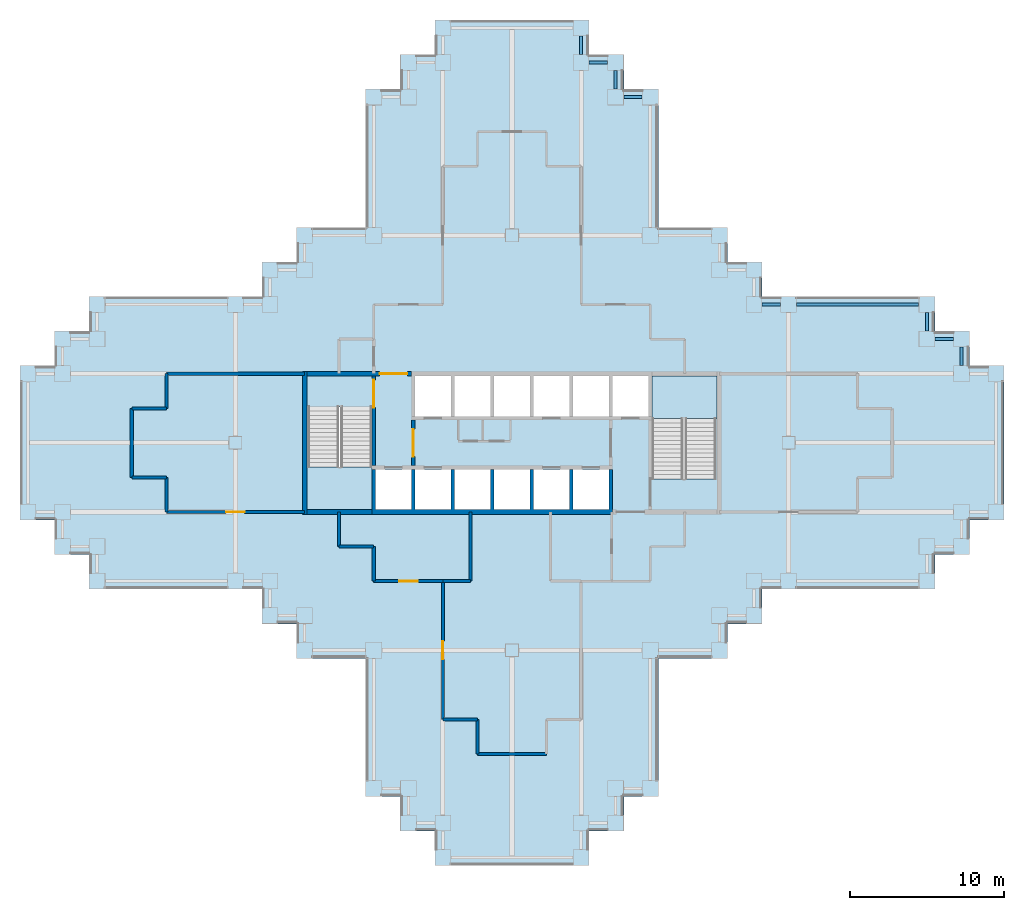
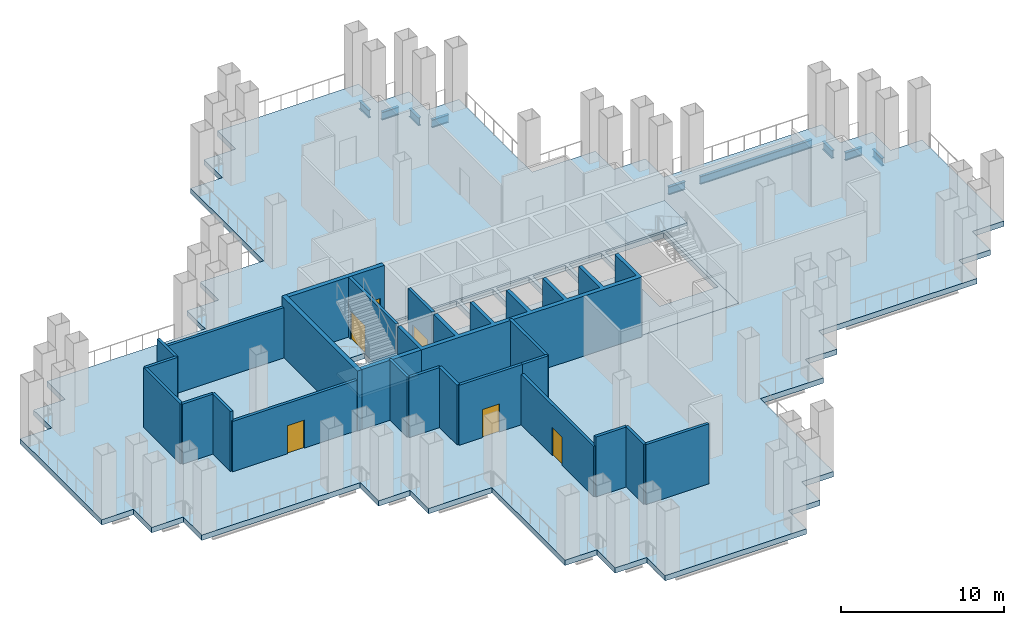
# One storey, part 2 of 10: 23 walls, 9 beams, 6 doors, 4 slabs, 6 openings, 2 elements without a shape of their own.
"""IFC4 building model written with IfcOpenShell, lengths in metres."""

from ifc_helpers import new_model, si_unit, direction, frame, frame_2d, origin, origin_2d, place, context, subcontext, project, spatial, polyline, rectangle, i_section, outline, extrude, material, layer, layer_set, material_profile, profile_set, type_object, element, fill, aggregate, save


model = new_model("IFC4")

# Units and contexts
model_context = context("Model", 3, precision=1e-05, world=origin(), true_north=direction((0.0, 1.0)))
body_context = subcontext(model_context, "Body", "Model", "MODEL_VIEW")
ifc_project = project(units=[si_unit("LENGTHUNIT", "METRE"), si_unit("AREAUNIT", "SQUARE_METRE"), si_unit("VOLUMEUNIT", "CUBIC_METRE"), si_unit("PLANEANGLEUNIT", "RADIAN"), si_unit("MASSUNIT", "GRAM", prefix="KILO")], contexts=[model_context])

# Site, building, storey
site_placement = place(None, origin())
site = spatial("IfcSite", under=ifc_project, at=site_placement, CompositionType="ELEMENT")
building_placement = place(site_placement, origin())
building = spatial("IfcBuilding", under=site, at=building_placement, Name="Caravel Reach Hotel and Residences", CompositionType="ELEMENT")
storey_placement = place(building_placement, frame((0.0, 0.0, 48.0)))
storey = spatial("IfcBuildingStorey", under=building, at=storey_placement, Name="L10", CompositionType="ELEMENT", Elevation=48.0)

# Beams
ifc_material_1 = material(Name="Structural steel Q355B", Category="steel")
ifc_material_profile = material_profile(ifc_material_1, i_section(OverallWidth=0.199951171875, OverallDepth=0.60009765625, WebThickness=0.010986328125, FlangeThickness=0.01708984375, FilletRadius=0.012939453125, at=origin_2d()), Name="HN 600x200x11x17")
ifc_profile_set = profile_set([ifc_material_profile], Name="Structural steel Q355B")
beam_type = type_object("IfcBeamType", Name="Spandrel beam HN 600x200x11x17", PredefinedType="SPANDREL", material=ifc_profile_set)
for number, where, z_axis, x_axis, name in (
    (1, (60.75, 32.02490234375, -0.699951171875), (0.0, 1.0, 0.0), (-1.0, 0.0, 0.0), "SP1 HN 600x200x11x17"),
    (2, (60.22509765625, 33.75, -0.699951171875), (-1.0, 0.0, 0.0), (0.0, -1.0, 0.0), "SP1 HN 600x200x11x17"),
    (3, (58.5, 34.27490234375, -0.699951171875), (0.0, 1.0, 0.0), (-1.0, 0.0, 0.0), "SP1 HN 600x200x11x17"),
):
    element("IfcBeam", number, at=place(storey_placement, frame(where, z_axis=z_axis, x_axis=x_axis)), inside=storey, type_object=beam_type, Name=name, PredefinedType="SPANDREL", context=body_context, shape_type="SweptSolid", body=[
        extrude(i_section(OverallWidth=0.199951171875, OverallDepth=0.60009765625, WebThickness=0.010986328125, FlangeThickness=0.01708984375, FilletRadius=0.012939453125, at=origin_2d()), origin(), (0.0, 0.0, 1.0), 1.2001953125),
    ])
beam_placement = place(storey_placement, frame((57.97509765625, 36.0, -0.699951171875), z_axis=(-1.0, 0.0, 0.0), x_axis=(0.0, -1.0, 0.0)))
element("IfcBeam", 4, at=beam_placement, inside=storey, type_object=beam_type, Name="SP1 HN 600x200x11x17", PredefinedType="SPANDREL", context=body_context, shape_type="SweptSolid", body=[
    extrude(i_section(OverallWidth=0.199951171875, OverallDepth=0.60009765625, WebThickness=0.010986328125, FlangeThickness=0.01708984375, FilletRadius=0.012939453125, at=origin_2d()), origin(), (0.0, 0.0, 1.0), 7.9501953125),
])
for number, where, z_axis, x_axis, name in (
    (5, (48.97509765625, 36.0, -0.699951171875), (-1.0, 0.0, 0.0), (0.0, -1.0, 0.0), "SP1 HN 600x200x11x17"),
    (6, (39.97509765625, 49.5, -0.699951171875), (-1.0, 0.0, 0.0), (0.0, -1.0, 0.0), "SP1 HN 600x200x11x17"),
    (7, (38.25, 50.02490234375, -0.699951171875), (0.0, 1.0, 0.0), (-1.0, 0.0, 0.0), "SP1 HN 600x200x11x17"),
    (8, (37.72509765625, 51.75, -0.699951171875), (-1.0, 0.0, 0.0), (0.0, -1.0, 0.0), "SP1 HN 600x200x11x17"),
    (9, (36.0, 52.27490234375, -0.699951171875), (0.0, 1.0, 0.0), (-1.0, 0.0, 0.0), "SP1 HN 600x200x11x17"),
):
    element("IfcBeam", number, at=place(storey_placement, frame(where, z_axis=z_axis, x_axis=x_axis)), inside=storey, type_object=beam_type, Name=name, PredefinedType="SPANDREL", context=body_context, shape_type="SweptSolid", body=[
        extrude(i_section(OverallWidth=0.199951171875, OverallDepth=0.60009765625, WebThickness=0.010986328125, FlangeThickness=0.01708984375, FilletRadius=0.012939453125, at=origin_2d()), origin(), (0.0, 0.0, 1.0), 1.2001953125),
    ])

# Slab
ifc_material_2 = material(Name="Concrete C40", Category="concrete")
ifc_layer_1 = layer(ifc_material_2, 0.39990234375)
ifc_layer_set_1 = layer_set([ifc_layer_1], Name="Core floor slab 400 mm")
slab_type_1 = type_object("IfcSlabType", Name="Core floor slab 400 mm", PredefinedType="FLOOR", material=ifc_layer_set_1)
slab_1_placement = place(storey_placement, frame((0.0, 0.0, -0.39990234375)))
element("IfcSlab", 10, at=slab_1_placement, inside=storey, type_object=slab_type_1, Name="L10 core floor", PredefinedType="FLOOR", context=body_context, shape_type="SweptSolid", body=[
    extrude(outline(polyline([(18.0, 31.5), (45.0, 31.5), (45.0, 22.5), (18.0, 22.5), (18.0, 31.5)]), holes=[polyline([(22.625, 25.27490234375), (22.625, 22.64990234375), (24.9462890625, 22.64990234375), (24.9462890625, 25.27490234375), (22.625, 25.27490234375)]), polyline([(27.517822265625, 25.27490234375), (25.1962890625, 25.27490234375), (25.1962890625, 22.64990234375), (27.517822265625, 22.64990234375), (27.517822265625, 25.27490234375)]), polyline([(30.08935546875, 25.27490234375), (27.767822265625, 25.27490234375), (27.767822265625, 22.64990234375), (30.08935546875, 22.64990234375), (30.08935546875, 25.27490234375)]), polyline([(32.66064453125, 25.27490234375), (30.33935546875, 25.27490234375), (30.33935546875, 22.64990234375), (32.66064453125, 22.64990234375), (32.66064453125, 25.27490234375)]), polyline([(18.22509765625, 22.64990234375), (22.375, 22.64990234375), (22.375, 29.35009765625), (18.22509765625, 29.35009765625), (18.22509765625, 22.64990234375)]), polyline([(27.517822265625, 31.35009765625), (25.1962890625, 31.35009765625), (25.1962890625, 28.72509765625), (27.517822265625, 28.72509765625), (27.517822265625, 31.35009765625)]), polyline([(30.08935546875, 31.35009765625), (27.767822265625, 31.35009765625), (27.767822265625, 28.72509765625), (30.08935546875, 28.72509765625), (30.08935546875, 31.35009765625)]), polyline([(32.91064453125, 25.27490234375), (32.91064453125, 22.64990234375), (35.232177734375, 22.64990234375), (35.232177734375, 25.27490234375), (32.91064453125, 25.27490234375)]), polyline([(37.8037109375, 25.27490234375), (35.482177734375, 25.27490234375), (35.482177734375, 22.64990234375), (37.8037109375, 22.64990234375), (37.8037109375, 25.27490234375)]), polyline([(44.77490234375, 31.35009765625), (40.625, 31.35009765625), (40.625, 24.64990234375), (44.77490234375, 24.64990234375), (44.77490234375, 31.35009765625)]), polyline([(32.66064453125, 31.35009765625), (30.33935546875, 31.35009765625), (30.33935546875, 28.72509765625), (32.66064453125, 28.72509765625), (32.66064453125, 31.35009765625)]), polyline([(35.232177734375, 31.35009765625), (32.91064453125, 31.35009765625), (32.91064453125, 28.72509765625), (35.232177734375, 28.72509765625), (35.232177734375, 31.35009765625)]), polyline([(37.8037109375, 31.35009765625), (35.482177734375, 31.35009765625), (35.482177734375, 28.72509765625), (37.8037109375, 28.72509765625), (37.8037109375, 31.35009765625)]), polyline([(40.375, 31.35009765625), (38.0537109375, 31.35009765625), (38.0537109375, 28.72509765625), (40.375, 28.72509765625), (40.375, 31.35009765625)])]), origin(), (0.0, 0.0, 1.0), 0.39990234375),
])

# Stair, slab
ifc_material_3 = material(Name="Concrete C40", Category="concrete")
stair_type = type_object("IfcStairType", Name="Core stair", PredefinedType="HALF_TURN_STAIR", material=ifc_material_3)
stair_1_placement = place(storey_placement, origin())
stair_1 = element("IfcStair", 11, at=stair_1_placement, inside=storey, type_object=stair_type, Name="L10 Exit stair A", PredefinedType="HALF_TURN_STAIR")
ifc_material_4 = material(Name="Concrete C40", Category="concrete")
ifc_layer_2 = layer(ifc_material_4, 0.199951171875)
ifc_layer_set_2 = layer_set([ifc_layer_2], Name="Core stair landing")
slab_type_2 = type_object("IfcSlabType", Name="Core stair landing", PredefinedType="LANDING", material=ifc_layer_set_2)
slab_2_placement = place(storey_placement, frame((0.0, 0.0, 2.199951171875)))
slab_2 = element("IfcSlab", 12, at=slab_2_placement, type_object=slab_type_2, Name="ST-A landing 1", PredefinedType="LANDING", context=body_context, shape_type="SweptSolid", body=[
    extrude(outline(polyline([(18.14990234375, 25.429931640625), (18.14990234375, 22.64990234375), (22.375, 22.64990234375), (22.375, 25.429931640625), (18.14990234375, 25.429931640625)])), origin(), (0.0, 0.0, 1.0), 0.199951171875),
])
aggregate(stair_1, [slab_2])

stair_2_placement = place(storey_placement, origin())
stair_2 = element("IfcStair", 13, at=stair_2_placement, inside=storey, type_object=stair_type, Name="L10 Exit stair B", PredefinedType="HALF_TURN_STAIR")
slab_3_placement = place(storey_placement, frame((0.0, 0.0, 2.199951171875)))
slab_3 = element("IfcSlab", 14, at=slab_3_placement, type_object=slab_type_2, Name="ST-B landing 1", PredefinedType="LANDING", context=body_context, shape_type="SweptSolid", body=[
    extrude(outline(polyline([(44.85009765625, 28.570068359375), (44.85009765625, 31.35009765625), (40.625, 31.35009765625), (40.625, 28.570068359375), (44.85009765625, 28.570068359375)])), origin(), (0.0, 0.0, 1.0), 0.199951171875),
])
aggregate(stair_2, [slab_3])

# Slab
ifc_material_5 = material(Name="Concrete C40 post-tensioned", Category="concrete")
ifc_layer_3 = layer(ifc_material_5, 0.39990234375)
ifc_layer_set_3 = layer_set([ifc_layer_3], Name="Floor slab 400")
slab_type_3 = type_object("IfcSlabType", Name="Floor slab 400", PredefinedType="FLOOR", material=ifc_layer_set_3)
slab_4_placement = place(storey_placement, frame((0.0, 0.0, -0.39990234375)))
element("IfcSlab", 15, at=slab_4_placement, inside=storey, type_object=slab_type_3, Name="S4 slab L10", PredefinedType="FLOOR", context=body_context, shape_type="SweptSolid", body=[
    extrude(outline(polyline([(17.47509765625, 12.97509765625), (17.47509765625, 15.22509765625), (15.22509765625, 15.22509765625), (15.22509765625, 17.47509765625), (3.97509765625, 17.47509765625), (3.97509765625, 19.72509765625), (1.72509765625, 19.72509765625), (1.72509765625, 21.97509765625), (-0.52490234375, 21.97509765625), (-0.52490234375, 32.02490234375), (1.72509765625, 32.02490234375), (1.72509765625, 34.27490234375), (3.97509765625, 34.27490234375), (3.97509765625, 36.52490234375), (15.22509765625, 36.52490234375), (15.22509765625, 38.77490234375), (17.47509765625, 38.77490234375), (17.47509765625, 41.02490234375), (21.97509765625, 41.02490234375), (21.97509765625, 50.02490234375), (24.22509765625, 50.02490234375), (24.22509765625, 52.27490234375), (26.47509765625, 52.27490234375), (26.47509765625, 54.52490234375), (36.52490234375, 54.52490234375), (36.52490234375, 52.27490234375), (38.77490234375, 52.27490234375), (38.77490234375, 50.02490234375), (41.02490234375, 50.02490234375), (41.02490234375, 41.02490234375), (45.52490234375, 41.02490234375), (45.52490234375, 38.77490234375), (47.77490234375, 38.77490234375), (47.77490234375, 36.52490234375), (59.02490234375, 36.52490234375), (59.02490234375, 34.27490234375), (61.27490234375, 34.27490234375), (61.27490234375, 32.02490234375), (63.52490234375, 32.02490234375), (63.52490234375, 21.97509765625), (61.27490234375, 21.97509765625), (61.27490234375, 19.72509765625), (59.02490234375, 19.72509765625), (59.02490234375, 17.47509765625), (47.77490234375, 17.47509765625), (47.77490234375, 15.22509765625), (45.52490234375, 15.22509765625), (45.52490234375, 12.97509765625), (41.02490234375, 12.97509765625), (41.02490234375, 3.97509765625), (38.77490234375, 3.97509765625), (38.77490234375, 1.72509765625), (36.52490234375, 1.72509765625), (36.52490234375, -0.52490234375), (26.47509765625, -0.52490234375), (26.47509765625, 1.72509765625), (24.22509765625, 1.72509765625), (24.22509765625, 3.97509765625), (21.97509765625, 3.97509765625), (21.97509765625, 12.97509765625), (17.47509765625, 12.97509765625)]), holes=[polyline([(45.0, 31.5), (18.0, 31.5), (18.0, 22.5), (45.0, 22.5), (45.0, 31.5)])]), origin(), (0.0, 0.0, 1.0), 0.39990234375),
])

# Wall, opening, door
ifc_material_6 = material(Name="Autoclaved aerated block wall")
ifc_layer_4 = layer(ifc_material_6, 0.199951171875)
ifc_layer_set_4 = layer_set([ifc_layer_4], Name="Compartment wall 200 mm EI 120")
wall_type_1 = type_object("IfcWallType", Name="Compartment wall 200 mm EI 120", PredefinedType="PARTITIONING", material=ifc_layer_set_4)
wall_1_placement = place(storey_placement, frame((22.5, 18.0, 0.0), z_axis=(0.0, 0.0, 1.0), x_axis=(1.0, 0.0, 0.0)))
wall_1 = element("IfcWall", 16, at=wall_1_placement, inside=storey, type_object=wall_type_1, Name="L10 wall w020", PredefinedType="PARTITIONING", context=body_context, shape_type="SweptSolid", body=[
    extrude(rectangle(XDim=4.5, YDim=0.199951171875, at=frame_2d((2.25, 0.0))), origin(), (0.0, 0.0, 1.0), 4.5),
])
opening_1_placement = place(wall_1_placement, frame((1.64990234375, 0.0, 0.0)))
opening_1 = element("IfcOpeningElement", 17, at=opening_1_placement, cuts=wall_1, Name="Opening D10-016", PredefinedType="OPENING", context=body_context, shape_type="SweptSolid", body=[
    extrude(rectangle(XDim=1.199951171875, YDim=2.10009765625, at=frame_2d((0.60009765625, 1.050048828125))), frame((0.0, 0.10986328125, 0.0), z_axis=(0.0, -1.0, 0.0), x_axis=(1.0, 0.0, 0.0)), (0.0, 0.0, 1.0), 0.219970703125),
])
ifc_material_7 = material(Name="Steel fire door leaf", Category="steel")
door_type_1 = type_object("IfcDoorType", Name="Plant room door 1200 x 2100 EI 60", OperationType="SINGLE_SWING_LEFT", PredefinedType="DOOR", material=ifc_material_7)
door_1_placement = place(opening_1_placement, origin())
door_1 = element("IfcDoor", 18, at=door_1_placement, inside=storey, type_object=door_type_1, Name="door D10-016", OperationType="SINGLE_SWING_RIGHT", OverallHeight=2.10009765625, OverallWidth=1.199951171875, PredefinedType="DOOR", context=body_context, shape_type="SweptSolid", body=[
    extrude(rectangle(XDim=1.199951171875, YDim=2.10009765625, at=frame_2d((0.60009765625, 1.050048828125))), frame((0.0, 0.02490234375, 0.0), z_axis=(0.0, -1.0, 0.0), x_axis=(1.0, 0.0, 0.0)), (0.0, 0.0, 1.0), 0.050048828125),
])
fill(opening_1, door_1)

# Walls
wall_2_placement = place(storey_placement, frame((27.0, 18.0, 0.0), z_axis=(0.0, 0.0, 1.0), x_axis=(1.0, 0.0, 0.0)))
element("IfcWall", 19, at=wall_2_placement, inside=storey, type_object=wall_type_1, Name="L10 wall w021", PredefinedType="PARTITIONING", context=body_context, shape_type="SweptSolid", body=[
    extrude(rectangle(XDim=1.800048828125, YDim=0.199951171875, at=frame_2d((0.89990234375, 0.0))), origin(), (0.0, 0.0, 1.0), 4.5),
])
wall_3_placement = place(storey_placement, frame((20.25, 20.25, 0.0), z_axis=(0.0, 0.0, 1.0), x_axis=(1.0, 0.0, 0.0)))
element("IfcWall", 20, at=wall_3_placement, inside=storey, type_object=wall_type_1, Name="L10 wall w023", PredefinedType="PARTITIONING", context=body_context, shape_type="SweptSolid", body=[
    extrude(rectangle(XDim=2.25, YDim=0.199951171875, at=frame_2d((1.125, 0.0))), origin(), (0.0, 0.0, 1.0), 4.5),
])

# Wall, opening, door
wall_4_placement = place(storey_placement, frame((9.0, 22.5, 0.0), z_axis=(0.0, 0.0, 1.0), x_axis=(1.0, 0.0, 0.0)))
wall_4 = element("IfcWall", 21, at=wall_4_placement, inside=storey, type_object=wall_type_1, Name="L10 wall w024", PredefinedType="PARTITIONING", context=body_context, shape_type="SweptSolid", body=[
    extrude(rectangle(XDim=9.0, YDim=0.199951171875, at=frame_2d((4.5, 0.0))), origin(), (0.0, 0.0, 1.0), 3.780029296875),
])
opening_2_placement = place(wall_4_placement, frame((3.89990234375, 0.0, 0.0)))
opening_2 = element("IfcOpeningElement", 22, at=opening_2_placement, cuts=wall_4, Name="Opening D10-020", PredefinedType="OPENING", context=body_context, shape_type="SweptSolid", body=[
    extrude(rectangle(XDim=1.199951171875, YDim=2.10009765625, at=frame_2d((0.60009765625, 1.050048828125))), frame((0.0, 0.10986328125, 0.0), z_axis=(0.0, -1.0, 0.0), x_axis=(1.0, 0.0, 0.0)), (0.0, 0.0, 1.0), 0.219970703125),
])
door_2_placement = place(opening_2_placement, origin())
door_2 = element("IfcDoor", 23, at=door_2_placement, inside=storey, type_object=door_type_1, Name="door D10-020", OperationType="SINGLE_SWING_LEFT", OverallHeight=2.10009765625, OverallWidth=1.199951171875, PredefinedType="DOOR", context=body_context, shape_type="SweptSolid", body=[
    extrude(rectangle(XDim=1.199951171875, YDim=2.10009765625, at=frame_2d((0.60009765625, 1.050048828125))), frame((0.0, 0.02490234375, 0.0), z_axis=(0.0, -1.0, 0.0), x_axis=(1.0, 0.0, 0.0)), (0.0, 0.0, 1.0), 0.050048828125),
])
fill(opening_2, door_2)

# Walls
for number, where, z_axis, x_axis, name in (
    (24, (6.75, 24.75, 0.0), (0.0, 0.0, 1.0), (1.0, 0.0, 0.0), "L10 wall w026"),
    (25, (6.75, 29.25, 0.0), (0.0, 0.0, 1.0), (1.0, 0.0, 0.0), "L10 wall w028"),
):
    element("IfcWall", number, at=place(storey_placement, frame(where, z_axis=z_axis, x_axis=x_axis)), inside=storey, type_object=wall_type_1, Name=name, PredefinedType="PARTITIONING", context=body_context, shape_type="SweptSolid", body=[
        extrude(rectangle(XDim=2.25, YDim=0.199951171875, at=frame_2d((1.125, 0.0))), origin(), (0.0, 0.0, 1.0), 4.5),
    ])
wall_5_placement = place(storey_placement, frame((9.0, 31.5, 0.0), z_axis=(0.0, 0.0, 1.0), x_axis=(1.0, 0.0, 0.0)))
element("IfcWall", 26, at=wall_5_placement, inside=storey, type_object=wall_type_1, Name="L10 wall w030", PredefinedType="PARTITIONING", context=body_context, shape_type="SweptSolid", body=[
    extrude(rectangle(XDim=9.0, YDim=0.199951171875, at=frame_2d((4.5, 0.0))), origin(), (0.0, 0.0, 1.0), 3.780029296875),
])
wall_6_placement = place(storey_placement, frame((29.25, 6.75, 0.0), z_axis=(0.0, 0.0, 1.0), x_axis=(1.0, 0.0, 0.0)))
element("IfcWall", 27, at=wall_6_placement, inside=storey, type_object=wall_type_1, Name="L10 wall w033", PredefinedType="PARTITIONING", context=body_context, shape_type="SweptSolid", body=[
    extrude(rectangle(XDim=4.5, YDim=0.199951171875, at=frame_2d((2.25, 0.0))), origin(), (0.0, 0.0, 1.0), 4.5),
])
for number, where, z_axis, x_axis, name in (
    (28, (27.0, 9.0, 0.0), (0.0, 0.0, 1.0), (1.0, 0.0, 0.0), "L10 wall w034"),
    (29, (20.25, 20.25, 0.0), (0.0, 0.0, 1.0), (0.0, 1.0, 0.0), "L10 wall w036"),
    (30, (22.5, 18.0, 0.0), (0.0, 0.0, 1.0), (0.0, 1.0, 0.0), "L10 wall w038"),
):
    element("IfcWall", number, at=place(storey_placement, frame(where, z_axis=z_axis, x_axis=x_axis)), inside=storey, type_object=wall_type_1, Name=name, PredefinedType="PARTITIONING", context=body_context, shape_type="SweptSolid", body=[
        extrude(rectangle(XDim=2.25, YDim=0.199951171875, at=frame_2d((1.125, 0.0))), origin(), (0.0, 0.0, 1.0), 4.5),
    ])

# Wall, opening, door
wall_7_placement = place(storey_placement, frame((27.0, 9.0, 0.0), z_axis=(0.0, 0.0, 1.0), x_axis=(0.0, 1.0, 0.0)))
wall_7 = element("IfcWall", 31, at=wall_7_placement, inside=storey, type_object=wall_type_1, Name="L10 wall w040", PredefinedType="PARTITIONING", context=body_context, shape_type="SweptSolid", body=[
    extrude(rectangle(XDim=9.0, YDim=0.199951171875, at=frame_2d((4.5, 0.0))), origin(), (0.0, 0.0, 1.0), 3.780029296875),
])
opening_3_placement = place(wall_7_placement, frame((3.89990234375, 0.0, 0.0)))
opening_3 = element("IfcOpeningElement", 32, at=opening_3_placement, cuts=wall_7, Name="Opening D10-017", PredefinedType="OPENING", context=body_context, shape_type="SweptSolid", body=[
    extrude(rectangle(XDim=1.199951171875, YDim=2.10009765625, at=frame_2d((0.60009765625, 1.050048828125))), frame((0.0, 0.10986328125, 0.0), z_axis=(0.0, -1.0, 0.0), x_axis=(1.0, 0.0, 0.0)), (0.0, 0.0, 1.0), 0.219970703125),
])
door_3_placement = place(opening_3_placement, origin())
door_3 = element("IfcDoor", 33, at=door_3_placement, inside=storey, type_object=door_type_1, Name="door D10-017", OperationType="SINGLE_SWING_LEFT", OverallHeight=2.10009765625, OverallWidth=1.199951171875, PredefinedType="DOOR", context=body_context, shape_type="SweptSolid", body=[
    extrude(rectangle(XDim=1.199951171875, YDim=2.10009765625, at=frame_2d((0.60009765625, 1.050048828125))), frame((0.0, 0.02490234375, 0.0), z_axis=(0.0, -1.0, 0.0), x_axis=(1.0, 0.0, 0.0)), (0.0, 0.0, 1.0), 0.050048828125),
])
fill(opening_3, door_3)

# Walls
wall_8_placement = place(storey_placement, frame((28.800048828125, 18.0, 0.0), z_axis=(0.0, 0.0, 1.0), x_axis=(0.0, 1.0, 0.0)))
element("IfcWall", 34, at=wall_8_placement, inside=storey, type_object=wall_type_1, Name="L10 wall w041", PredefinedType="PARTITIONING", context=body_context, shape_type="SweptSolid", body=[
    extrude(rectangle(XDim=4.5, YDim=0.199951171875, at=frame_2d((2.25, 0.0))), origin(), (0.0, 0.0, 1.0), 4.5),
])
wall_9_placement = place(storey_placement, frame((29.25, 6.75, 0.0), z_axis=(0.0, 0.0, 1.0), x_axis=(0.0, 1.0, 0.0)))
element("IfcWall", 35, at=wall_9_placement, inside=storey, type_object=wall_type_1, Name="L10 wall w042", PredefinedType="PARTITIONING", context=body_context, shape_type="SweptSolid", body=[
    extrude(rectangle(XDim=2.25, YDim=0.199951171875, at=frame_2d((1.125, 0.0))), origin(), (0.0, 0.0, 1.0), 4.5),
])
wall_10_placement = place(storey_placement, frame((6.75, 24.75, 0.0), z_axis=(0.0, 0.0, 1.0), x_axis=(0.0, 1.0, 0.0)))
element("IfcWall", 36, at=wall_10_placement, inside=storey, type_object=wall_type_1, Name="L10 wall w049", PredefinedType="PARTITIONING", context=body_context, shape_type="SweptSolid", body=[
    extrude(rectangle(XDim=4.5, YDim=0.199951171875, at=frame_2d((2.25, 0.0))), origin(), (0.0, 0.0, 1.0), 4.5),
])
for number, where, z_axis, x_axis, name in (
    (37, (9.0, 22.5, 0.0), (0.0, 0.0, 1.0), (0.0, 1.0, 0.0), "L10 wall w050"),
    (38, (9.0, 29.25, 0.0), (0.0, 0.0, 1.0), (0.0, 1.0, 0.0), "L10 wall w051"),
):
    element("IfcWall", number, at=place(storey_placement, frame(where, z_axis=z_axis, x_axis=x_axis)), inside=storey, type_object=wall_type_1, Name=name, PredefinedType="PARTITIONING", context=body_context, shape_type="SweptSolid", body=[
        extrude(rectangle(XDim=2.25, YDim=0.199951171875, at=frame_2d((1.125, 0.0))), origin(), (0.0, 0.0, 1.0), 4.5),
    ])
ifc_material_8 = material(Name="Concrete C60", Category="concrete")
ifc_layer_5 = layer(ifc_material_8, 0.300048828125)
ifc_layer_set_5 = layer_set([ifc_layer_5], Name="Core wall 300 mm EI 120")
wall_type_2 = type_object("IfcWallType", Name="Core wall 300 mm EI 120", PredefinedType="SHEAR", material=ifc_layer_set_5)
wall_11_placement = place(storey_placement, frame((18.14990234375, 22.5, 0.0), z_axis=(0.0, 0.0, 1.0), x_axis=(1.0, 0.0, 0.0)))
element("IfcWall", 39, at=wall_11_placement, inside=storey, type_object=wall_type_2, Name="L10 core wall S1", PredefinedType="SHEAR", context=body_context, shape_type="SweptSolid", body=[
    extrude(rectangle(XDim=4.22509765625, YDim=0.300048828125, at=frame_2d((2.112548828125, 0.0))), origin(), (0.0, 0.0, 1.0), 4.5),
])

# Wall, opening, door
wall_12_placement = place(storey_placement, frame((18.14990234375, 31.5, 0.0), z_axis=(0.0, 0.0, 1.0), x_axis=(1.0, 0.0, 0.0)))
wall_12 = element("IfcWall", 40, at=wall_12_placement, inside=storey, type_object=wall_type_2, Name="L10 core wall N1", PredefinedType="SHEAR", context=body_context, shape_type="SweptSolid", body=[
    extrude(rectangle(XDim=6.796630859375, YDim=0.300048828125, at=frame_2d((3.3984375, 0.0))), origin(), (0.0, 0.0, 1.0), 4.5),
])
opening_4_placement = place(wall_12_placement, frame((4.735595703125, 0.0, 0.0)))
opening_4 = element("IfcOpeningElement", 41, at=opening_4_placement, cuts=wall_12, Name="Opening D10-014", PredefinedType="OPENING", context=body_context, shape_type="SweptSolid", body=[
    extrude(rectangle(XDim=1.800048828125, YDim=2.10009765625, at=frame_2d((0.89990234375, 1.050048828125))), frame((0.0, 0.159912109375, 0.0), z_axis=(0.0, -1.0, 0.0), x_axis=(1.0, 0.0, 0.0)), (0.0, 0.0, 1.0), 0.320068359375),
])
ifc_material_9 = material(Name="Steel fire door leaf", Category="steel")
door_type_2 = type_object("IfcDoorType", Name="Fire lobby door pair 1800 x 2100 EI 90", OperationType="DOUBLE_DOOR_SINGLE_SWING", PredefinedType="DOOR", material=ifc_material_9)
door_4_placement = place(opening_4_placement, origin())
door_4 = element("IfcDoor", 42, at=door_4_placement, inside=storey, type_object=door_type_2, Name="lobby N door pair to corridor", OperationType="DOUBLE_DOOR_SINGLE_SWING", OverallHeight=2.10009765625, OverallWidth=1.800048828125, PredefinedType="DOOR", context=body_context, shape_type="SweptSolid", body=[
    extrude(rectangle(XDim=1.800048828125, YDim=2.10009765625, at=frame_2d((0.89990234375, 1.050048828125))), frame((0.0, 0.02490234375, 0.0), z_axis=(0.0, -1.0, 0.0), x_axis=(1.0, 0.0, 0.0)), (0.0, 0.0, 1.0), 0.050048828125),
])
fill(opening_4, door_4)

# Wall
wall_13_placement = place(storey_placement, frame((18.0, 22.35009765625, 0.0), z_axis=(0.0, 0.0, 1.0), x_axis=(0.0, 1.0, 0.0)))
element("IfcWall", 43, at=wall_13_placement, inside=storey, type_object=wall_type_2, Name="L10 core wall W", PredefinedType="SHEAR", context=body_context, shape_type="SweptSolid", body=[
    extrude(rectangle(XDim=9.2998046875, YDim=0.300048828125, at=frame_2d((4.64990234375, 0.0))), origin(), (0.0, 0.0, 1.0), 4.5),
])

# Wall, opening, door
ifc_material_10 = material(Name="Autoclaved aerated block wall")
ifc_layer_6 = layer(ifc_material_10, 0.199951171875)
ifc_layer_set_6 = layer_set([ifc_layer_6], Name="Fire lobby wall 200 mm EI 120")
wall_type_3 = type_object("IfcWallType", Name="Fire lobby wall 200 mm EI 120", PredefinedType="PARTITIONING", material=ifc_layer_set_6)
wall_14_placement = place(storey_placement, frame((25.071533203125, 25.52490234375, 0.0), z_axis=(0.0, 0.0, 1.0), x_axis=(0.0, 1.0, 0.0)))
wall_14 = element("IfcWall", 44, at=wall_14_placement, inside=storey, type_object=wall_type_3, Name="L10 lobby W wall", PredefinedType="PARTITIONING", context=body_context, shape_type="SweptSolid", body=[
    extrude(rectangle(XDim=2.9501953125, YDim=0.199951171875, at=frame_2d((1.47509765625, 0.0))), origin(), (0.0, 0.0, 1.0), 4.5),
])
opening_5_placement = place(wall_14_placement, frame((0.574951171875, 0.0, 0.0)))
opening_5 = element("IfcOpeningElement", 45, at=opening_5_placement, cuts=wall_14, Name="Opening D10-012", PredefinedType="OPENING", context=body_context, shape_type="SweptSolid", body=[
    extrude(rectangle(XDim=1.800048828125, YDim=2.10009765625, at=frame_2d((0.89990234375, 1.050048828125))), frame((0.0, 0.10986328125, 0.0), z_axis=(0.0, -1.0, 0.0), x_axis=(1.0, 0.0, 0.0)), (0.0, 0.0, 1.0), 0.219970703125),
])
door_5_placement = place(opening_5_placement, origin())
door_5 = element("IfcDoor", 46, at=door_5_placement, inside=storey, type_object=door_type_2, Name="lobby W door pair", OperationType="DOUBLE_DOOR_SINGLE_SWING", OverallHeight=2.10009765625, OverallWidth=1.800048828125, PredefinedType="DOOR", context=body_context, shape_type="SweptSolid", body=[
    extrude(rectangle(XDim=1.800048828125, YDim=2.10009765625, at=frame_2d((0.89990234375, 1.050048828125))), frame((0.0, 0.02490234375, 0.0), z_axis=(0.0, -1.0, 0.0), x_axis=(1.0, 0.0, 0.0)), (0.0, 0.0, 1.0), 0.050048828125),
])
fill(opening_5, door_5)

# Wall
ifc_material_11 = material(Name="Concrete C60", Category="concrete")
ifc_layer_7 = layer(ifc_material_11, 0.25)
ifc_layer_set_7 = layer_set([ifc_layer_7], Name="Shaft wall 250 mm EI 120")
wall_type_4 = type_object("IfcWallType", Name="Shaft wall 250 mm EI 120", PredefinedType="SHEAR", material=ifc_layer_set_7)
wall_15_placement = place(storey_placement, origin())
element("IfcWall", 47, at=wall_15_placement, inside=storey, type_object=wall_type_4, Name="L10 lift shaft wall S1", PredefinedType="SHEAR", context=body_context, shape_type="SweptSolid", body=[
    extrude(outline(polyline([(22.375, 22.35009765625), (38.053466796875, 22.35009765625), (38.053466796875, 25.27490234375), (37.803466796875, 25.27490234375), (37.803466796875, 22.64990234375), (35.482177734375, 22.64990234375), (35.482177734375, 25.27490234375), (35.232177734375, 25.27490234375), (35.232177734375, 22.64990234375), (32.91064453125, 22.64990234375), (32.91064453125, 25.27490234375), (32.66064453125, 25.27490234375), (32.66064453125, 22.64990234375), (30.33935546875, 22.64990234375), (30.33935546875, 25.27490234375), (30.08935546875, 25.27490234375), (30.08935546875, 22.64990234375), (27.767822265625, 22.64990234375), (27.767822265625, 25.27490234375), (27.517822265625, 25.27490234375), (27.517822265625, 22.64990234375), (25.196533203125, 22.64990234375), (25.196533203125, 25.27490234375), (24.946533203125, 25.27490234375), (24.946533203125, 22.64990234375), (22.625, 22.64990234375), (22.625, 25.27490234375), (22.375, 25.27490234375), (22.375, 22.35009765625)])), origin(), (0.0, 0.0, 1.0), 4.5),
])

# Wall, opening, door
ifc_material_12 = material(Name="Concrete C60", Category="concrete")
ifc_layer_8 = layer(ifc_material_12, 0.199951171875)
ifc_layer_set_8 = layer_set([ifc_layer_8], Name="Stair enclosure wall 200 mm EI 120")
wall_type_5 = type_object("IfcWallType", Name="Stair enclosure wall 200 mm EI 120", PredefinedType="SHEAR", material=ifc_layer_set_8)
wall_16_placement = place(storey_placement, frame((22.5, 31.35009765625, 0.0), z_axis=(0.0, 0.0, 1.0), x_axis=(0.0, -1.0, 0.0)))
wall_16 = element("IfcWall", 48, at=wall_16_placement, inside=storey, type_object=wall_type_5, Name="L10 stair A wall", PredefinedType="SHEAR", context=body_context, shape_type="SweptSolid", body=[
    extrude(rectangle(XDim=5.8251953125, YDim=0.199951171875, at=frame_2d((2.91259765625, 0.0))), origin(), (0.0, 0.0, 1.0), 4.5),
])
opening_6_placement = place(wall_16_placement, frame((0.25, 0.0, 0.0)))
opening_6 = element("IfcOpeningElement", 49, at=opening_6_placement, cuts=wall_16, Name="Opening D10-010", PredefinedType="OPENING", context=body_context, shape_type="SweptSolid", body=[
    extrude(rectangle(XDim=1.800048828125, YDim=2.10009765625, at=frame_2d((0.89990234375, 1.050048828125))), frame((0.0, 0.10986328125, 0.0), z_axis=(0.0, -1.0, 0.0), x_axis=(1.0, 0.0, 0.0)), (0.0, 0.0, 1.0), 0.219970703125),
])
ifc_material_13 = material(Name="Steel fire door leaf", Category="steel")
door_type_3 = type_object("IfcDoorType", Name="Stair door pair 1800 x 2100 EI 90", OperationType="DOUBLE_DOOR_SINGLE_SWING", PredefinedType="DOOR", material=ifc_material_13)
door_6_placement = place(opening_6_placement, origin())
door_6 = element("IfcDoor", 50, at=door_6_placement, inside=storey, type_object=door_type_3, Name="stair A door pair", OperationType="DOUBLE_DOOR_SINGLE_SWING", OverallHeight=2.10009765625, OverallWidth=1.800048828125, PredefinedType="DOOR", context=body_context, shape_type="SweptSolid", body=[
    extrude(rectangle(XDim=1.800048828125, YDim=2.10009765625, at=frame_2d((0.89990234375, 1.050048828125))), frame((0.0, 0.02490234375, 0.0), z_axis=(0.0, -1.0, 0.0), x_axis=(1.0, 0.0, 0.0)), (0.0, 0.0, 1.0), 0.050048828125),
])
fill(opening_6, door_6)

save(model, "model.ifc")
